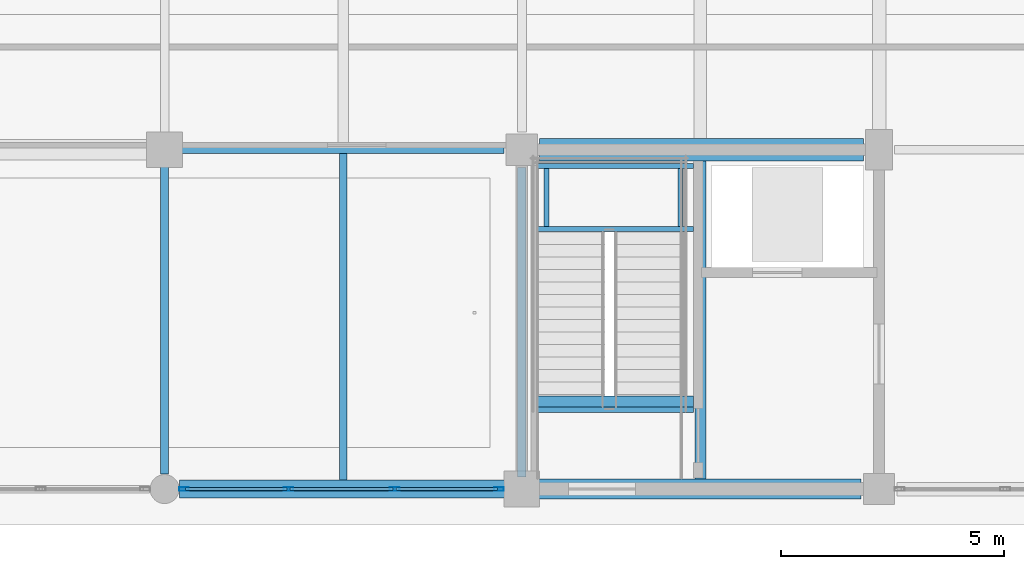
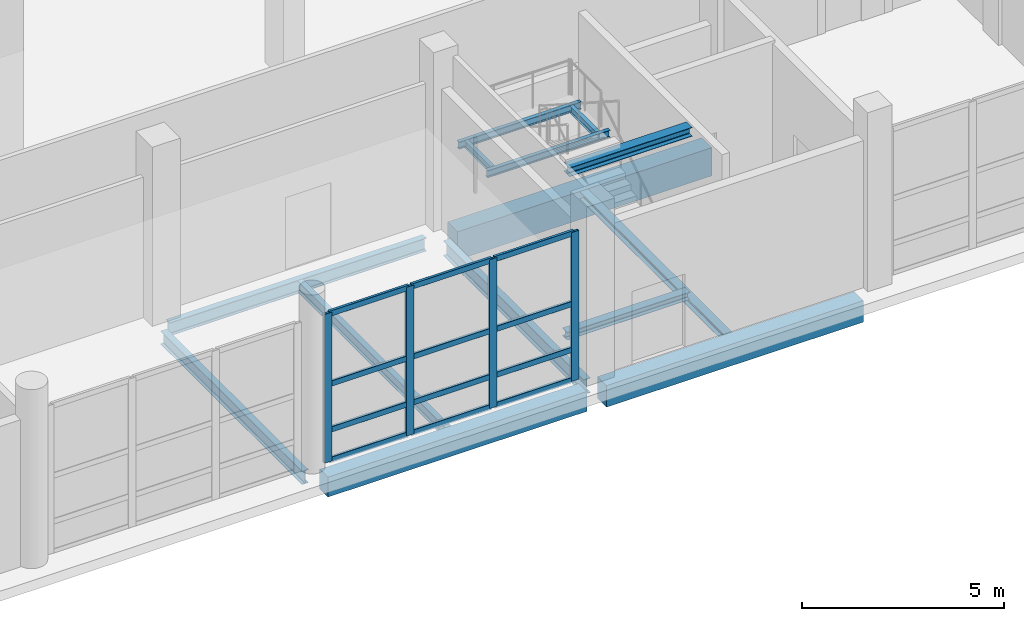
# One storey, part 22 of 126: 16 members, 14 beams, 1 element without a shape of its own.
"""IFC4 building model written with IfcOpenShell, lengths in metres."""

from ifc_helpers import new_model, si_unit, direction, frame, origin, origin_2d, place, context, subcontext, project, spatial, rectangle, hollow_rectangle, i_section, extrude, material, material_profile, profile_set, type_object, element, aggregate, save


model = new_model("IFC4")

# Units and contexts
model_context = context("Model", 3, precision=1e-05, world=origin(), true_north=direction((0.0, 1.0)))
body_context = subcontext(model_context, "Body", "Model", "MODEL_VIEW")
ifc_project = project(units=[si_unit("LENGTHUNIT", "METRE"), si_unit("AREAUNIT", "SQUARE_METRE"), si_unit("VOLUMEUNIT", "CUBIC_METRE"), si_unit("PLANEANGLEUNIT", "RADIAN"), si_unit("MASSUNIT", "GRAM", prefix="KILO")], contexts=[model_context])

# Site, building, storey
site_placement = place(None, origin())
site = spatial("IfcSite", under=ifc_project, at=site_placement, CompositionType="ELEMENT")
building_placement = place(site_placement, origin())
building = spatial("IfcBuilding", under=site, at=building_placement, Name="Khelvaren Railside Concert Hall", CompositionType="ELEMENT")
storey_placement = place(building_placement, origin())
storey = spatial("IfcBuildingStorey", under=building, at=storey_placement, Name="L00", CompositionType="ELEMENT", Elevation=0.0)

# Beams
ifc_material_1 = material(Name="Steel S355", Category="steel")
ifc_material_profile_1 = material_profile(ifc_material_1, i_section(OverallWidth=0.179931640625, OverallDepth=0.39990234375, WebThickness=0.008544921875, FlangeThickness=0.013427734375, FilletRadius=0.02099609375, at=origin_2d()), Name="IPE 400")
ifc_profile_set_1 = profile_set([ifc_material_profile_1], Name="Steel S355")
beam_type_1 = type_object("IfcBeamType", Name="BM29", PredefinedType="BEAM", material=ifc_profile_set_1)
beam_1_placement = place(storey_placement, frame((112.27294921875, 7.60009765625, -0.52001953125), z_axis=(1.0, 0.0, 0.0), x_axis=(0.0, 1.0, 0.0)))
element("IfcBeam", 1, at=beam_1_placement, inside=storey, type_object=beam_type_1, Name="V3 L00 Beam X2.7", PredefinedType="BEAM", context=body_context, shape_type="SweptSolid", body=[
    extrude(i_section(OverallWidth=0.179931640625, OverallDepth=0.39990234375, WebThickness=0.008544921875, FlangeThickness=0.013427734375, FilletRadius=0.02099609375, at=origin_2d()), origin(), (0.0, 0.0, 1.0), 7.3271484375),
])
beam_2_placement = place(storey_placement, frame((112.0, 0.3359375, -0.52001953125), z_axis=(0.0, 1.0, 0.0), x_axis=(-1.0, 0.0, 0.0)))
element("IfcBeam", 2, at=beam_2_placement, inside=storey, type_object=beam_type_1, Name="V3 L00 Beam Y7.1", PredefinedType="BEAM", context=body_context, shape_type="SweptSolid", body=[
    extrude(i_section(OverallWidth=0.179931640625, OverallDepth=0.39990234375, WebThickness=0.008544921875, FlangeThickness=0.013427734375, FilletRadius=0.02099609375, at=origin_2d()), origin(), (0.0, 0.0, 1.0), 6.990966796875),
])
ifc_material_profile_2 = material_profile(ifc_material_1, i_section(OverallWidth=0.239990234375, OverallDepth=0.22998046875, WebThickness=0.007568359375, FlangeThickness=0.011962890625, FilletRadius=0.02099609375, at=origin_2d()), Name="HEA 240")
ifc_profile_set_2 = profile_set([ifc_material_profile_2], Name="Steel S355")
beam_type_2 = type_object("IfcBeamType", Name="BM42", PredefinedType="BEAM", material=ifc_profile_set_2)
beam_3_placement = place(storey_placement, frame((120.344970703125, 1.960693359375, -0.114990234375), z_axis=(1.0, 0.0, 0.0), x_axis=(0.0, 1.0, 0.0)))
element("IfcBeam", 3, at=beam_3_placement, inside=storey, type_object=beam_type_2, Name="ST-06 L00 Stair Foot Trimmer Beam", PredefinedType="BEAM", context=body_context, shape_type="SweptSolid", body=[
    extrude(i_section(OverallWidth=0.239990234375, OverallDepth=0.22998046875, WebThickness=0.007568359375, FlangeThickness=0.011962890625, FilletRadius=0.02099609375, at=origin_2d()), origin(), (0.0, 0.0, 1.0), 3.4951171875),
])
ifc_material_profile_3 = material_profile(ifc_material_1, i_section(OverallWidth=0.110107421875, OverallDepth=0.219970703125, WebThickness=0.005859375, FlangeThickness=0.00927734375, FilletRadius=0.011962890625, at=origin_2d()), Name="IPE 220")
ifc_profile_set_3 = profile_set([ifc_material_profile_3], Name="Steel S355")
beam_type_3 = type_object("IfcBeamType", Name="BM87", PredefinedType="BEAM", material=ifc_profile_set_3)
for number, where, z_axis, x_axis, name in (
    (4, (120.344970703125, 5.824951171875, 2.389892578125), (1.0, 0.0, 0.0), (0.0, 1.0, 0.0), "ST-06 L00 Half-Landing Front Beam"),
    (5, (120.344970703125, 7.239990234375, 2.389892578125), (1.0, 0.0, 0.0), (0.0, 1.0, 0.0), "ST-06 L00 Half-Landing Rear Beam"),
):
    element("IfcBeam", number, at=place(storey_placement, frame(where, z_axis=z_axis, x_axis=x_axis)), inside=storey, type_object=beam_type_3, Name=name, PredefinedType="BEAM", context=body_context, shape_type="SweptSolid", body=[
        extrude(i_section(OverallWidth=0.110107421875, OverallDepth=0.219970703125, WebThickness=0.005859375, FlangeThickness=0.00927734375, FilletRadius=0.011962890625, at=origin_2d()), origin(), (0.0, 0.0, 1.0), 3.4951171875),
    ])
for number, where, z_axis, x_axis, name in (
    (6, (120.550048828125, 5.8798828125, 2.389892578125), (0.0, 1.0, 0.0), (-1.0, 0.0, 0.0), "ST-06 L00 Half-Landing Side Tie W"),
    (7, (123.550048828125, 5.8798828125, 2.389892578125), (0.0, 1.0, 0.0), (-1.0, 0.0, 0.0), "ST-06 L00 Half-Landing Side Tie E"),
):
    element("IfcBeam", number, at=place(storey_placement, frame(where, z_axis=z_axis, x_axis=x_axis)), inside=storey, type_object=beam_type_3, Name=name, PredefinedType="BEAM", context=body_context, shape_type="SweptSolid", body=[
        extrude(i_section(OverallWidth=0.110107421875, OverallDepth=0.219970703125, WebThickness=0.005859375, FlangeThickness=0.00927734375, FilletRadius=0.011962890625, at=origin_2d()), origin(), (0.0, 0.0, 1.0), 1.30517578125),
    ])
ifc_material_profile_4 = material_profile(ifc_material_1, i_section(OverallWidth=0.280029296875, OverallDepth=0.27001953125, WebThickness=0.008056640625, FlangeThickness=0.012939453125, FilletRadius=0.02392578125, at=origin_2d()), Name="HEA 280")
ifc_profile_set_4 = profile_set([ifc_material_profile_4], Name="Steel S355")
beam_type_4 = type_object("IfcBeamType", Name="BM93", PredefinedType="BEAM", material=ifc_profile_set_4)
beam_4_placement = place(storey_placement, frame((120.344970703125, 1.860107421875, 4.90673828125), z_axis=(1.0, 0.0, 0.0), x_axis=(0.0, 1.0, 0.0)))
element("IfcBeam", 8, at=beam_4_placement, inside=storey, type_object=beam_type_4, Name="ST-06 L00 Stair Top Arrival Trimmer Beam", PredefinedType="BEAM", context=body_context, shape_type="SweptSolid", body=[
    extrude(i_section(OverallWidth=0.280029296875, OverallDepth=0.27001953125, WebThickness=0.008056640625, FlangeThickness=0.012939453125, FilletRadius=0.02392578125, at=origin_2d()), origin(), (0.0, 0.0, 1.0), 3.4951171875),
])
ifc_material_profile_5 = material_profile(ifc_material_1, i_section(OverallWidth=0.18994140625, OverallDepth=0.449951171875, WebThickness=0.009521484375, FlangeThickness=0.0146484375, FilletRadius=0.02099609375, at=origin_2d()), Name="IPE 450")
ifc_profile_set_5 = profile_set([ifc_material_profile_5], Name="Steel S355")
beam_type_5 = type_object("IfcBeamType", Name="BM95", PredefinedType="BEAM", material=ifc_profile_set_5)
beam_5_placement = place(storey_placement, frame((120.0, 0.27294921875, -0.544921875), z_axis=(0.0, 1.0, 0.0), x_axis=(-1.0, 0.0, 0.0)))
element("IfcBeam", 9, at=beam_5_placement, inside=storey, type_object=beam_type_5, Name="V3 L00 Beam Y8.1", PredefinedType="BEAM", context=body_context, shape_type="SweptSolid", body=[
    extrude(i_section(OverallWidth=0.18994140625, OverallDepth=0.449951171875, WebThickness=0.009521484375, FlangeThickness=0.0146484375, FilletRadius=0.02099609375, at=origin_2d()), origin(), (0.0, 0.0, 1.0), 6.927001953125),
])

# Curtain wall, members
ifc_material_2 = material(Name="Triple-glazed solar-control glass", Category="glass")
curtain_wall_type = type_object("IfcCurtainWallType", Name="CW80", PredefinedType="USERDEFINED", material=ifc_material_2)
curtain_wall_placement = place(storey_placement, origin())
curtain_wall = element("IfcCurtainWall", 10, at=curtain_wall_placement, inside=storey, type_object=curtain_wall_type, Name="Unitised Curtain Wall CW-V3-L00-S-112", ObjectType="UNITISED CURTAIN WALL", PredefinedType="USERDEFINED")
ifc_material_3 = material(Name="Anodised architectural aluminium 6063-T6", Category="aluminium")
ifc_material_profile_6 = material_profile(ifc_material_3, hollow_rectangle(XDim=0.074951171875, YDim=0.219970703125, WallThickness=0.0048828125, InnerFilletRadius=0.0029296875, OuterFilletRadius=0.0048828125, at=origin_2d()), Name="CWM 75x220x5")
ifc_profile_set_6 = profile_set([ifc_material_profile_6], Name="Anodised architectural aluminium 6063-T6")
member_type_1 = type_object("IfcMemberType", Name="CWM13", PredefinedType="MULLION", material=ifc_profile_set_6)
member_1_placement = place(storey_placement, frame((119.489990234375, 0.0, 0.0), z_axis=(0.0, 0.0, 1.0), x_axis=(0.0, -1.0, 0.0)))
member_1 = element("IfcMember", 11, at=member_1_placement, type_object=member_type_1, Name="CW80 mullion 1", PredefinedType="MULLION", context=body_context, shape_type="SweptSolid", body=[
    extrude(hollow_rectangle(XDim=0.074951171875, YDim=0.219970703125, WallThickness=0.0048828125, InnerFilletRadius=0.0029296875, OuterFilletRadius=0.0048828125, at=origin_2d()), origin(), (0.0, 0.0, 1.0), 4.489990234375),
])
member_2_placement = place(storey_placement, frame((117.15087890625, 0.0, 0.0), z_axis=(0.0, 0.0, 1.0), x_axis=(0.0, -1.0, 0.0)))
member_2 = element("IfcMember", 12, at=member_2_placement, type_object=member_type_1, Name="CW80 mullion 2", PredefinedType="MULLION", context=body_context, shape_type="SweptSolid", body=[
    extrude(hollow_rectangle(XDim=0.074951171875, YDim=0.219970703125, WallThickness=0.0048828125, InnerFilletRadius=0.0029296875, OuterFilletRadius=0.0048828125, at=origin_2d()), origin(), (0.0, 0.0, 1.0), 4.489990234375),
])
member_3_placement = place(storey_placement, frame((114.774169921875, 0.0, 0.0), z_axis=(0.0, 0.0, 1.0), x_axis=(0.0, -1.0, 0.0)))
member_3 = element("IfcMember", 13, at=member_3_placement, type_object=member_type_1, Name="CW80 mullion 3", PredefinedType="MULLION", context=body_context, shape_type="SweptSolid", body=[
    extrude(hollow_rectangle(XDim=0.074951171875, YDim=0.219970703125, WallThickness=0.0048828125, InnerFilletRadius=0.0029296875, OuterFilletRadius=0.0048828125, at=origin_2d()), origin(), (0.0, 0.0, 1.0), 4.489990234375),
])
member_4_placement = place(storey_placement, frame((112.43505859375, 0.0, 0.0), z_axis=(0.0, 0.0, 1.0), x_axis=(0.0, -1.0, 0.0)))
member_4 = element("IfcMember", 14, at=member_4_placement, type_object=member_type_1, Name="CW80 mullion 4", PredefinedType="MULLION", context=body_context, shape_type="SweptSolid", body=[
    extrude(hollow_rectangle(XDim=0.074951171875, YDim=0.219970703125, WallThickness=0.0048828125, InnerFilletRadius=0.0029296875, OuterFilletRadius=0.0048828125, at=origin_2d()), origin(), (0.0, 0.0, 1.0), 4.489990234375),
])
ifc_material_profile_7 = material_profile(ifc_material_3, hollow_rectangle(XDim=0.074951171875, YDim=0.1650390625, WallThickness=0.00390625, InnerFilletRadius=0.001953125, OuterFilletRadius=0.00390625, at=origin_2d()), Name="CWT 75x165x4")
ifc_profile_set_7 = profile_set([ifc_material_profile_7], Name="Anodised architectural aluminium 6063-T6")
member_type_2 = type_object("IfcMemberType", Name="CWT46", PredefinedType="USERDEFINED", material=ifc_profile_set_7)
member_5_placement = place(storey_placement, frame((119.452392578125, 0.0, 0.03759765625), z_axis=(-1.0, 0.0, 0.0), x_axis=(0.0, -1.0, 0.0)))
member_5 = element("IfcMember", 15, at=member_5_placement, type_object=member_type_2, Name="CW80 transom 1.1", ObjectType="TRANSOM", PredefinedType="USERDEFINED", context=body_context, shape_type="SweptSolid", body=[
    extrude(hollow_rectangle(XDim=0.074951171875, YDim=0.1650390625, WallThickness=0.00390625, InnerFilletRadius=0.001953125, OuterFilletRadius=0.00390625, at=origin_2d()), origin(), (0.0, 0.0, 1.0), 2.26416015625),
])
member_6_placement = place(storey_placement, frame((119.452392578125, 0.0, 0.949951171875), z_axis=(-1.0, 0.0, 0.0), x_axis=(0.0, -1.0, 0.0)))
member_6 = element("IfcMember", 16, at=member_6_placement, type_object=member_type_2, Name="CW80 transom 1.2", ObjectType="TRANSOM", PredefinedType="USERDEFINED", context=body_context, shape_type="SweptSolid", body=[
    extrude(hollow_rectangle(XDim=0.074951171875, YDim=0.1650390625, WallThickness=0.00390625, InnerFilletRadius=0.001953125, OuterFilletRadius=0.00390625, at=origin_2d()), origin(), (0.0, 0.0, 1.0), 2.26416015625),
])
member_7_placement = place(storey_placement, frame((119.452392578125, 0.0, 2.334716796875), z_axis=(-1.0, 0.0, 0.0), x_axis=(0.0, -1.0, 0.0)))
member_7 = element("IfcMember", 17, at=member_7_placement, type_object=member_type_2, Name="CW80 transom 1.3", ObjectType="TRANSOM", PredefinedType="USERDEFINED", context=body_context, shape_type="SweptSolid", body=[
    extrude(hollow_rectangle(XDim=0.074951171875, YDim=0.1650390625, WallThickness=0.00390625, InnerFilletRadius=0.001953125, OuterFilletRadius=0.00390625, at=origin_2d()), origin(), (0.0, 0.0, 1.0), 2.26416015625),
])
member_8_placement = place(storey_placement, frame((119.452392578125, 0.0, 4.452392578125), z_axis=(-1.0, 0.0, 0.0), x_axis=(0.0, -1.0, 0.0)))
member_8 = element("IfcMember", 18, at=member_8_placement, type_object=member_type_2, Name="CW80 transom 1.4", ObjectType="TRANSOM", PredefinedType="USERDEFINED", context=body_context, shape_type="SweptSolid", body=[
    extrude(hollow_rectangle(XDim=0.074951171875, YDim=0.1650390625, WallThickness=0.00390625, InnerFilletRadius=0.001953125, OuterFilletRadius=0.00390625, at=origin_2d()), origin(), (0.0, 0.0, 1.0), 2.26416015625),
])
member_9_placement = place(storey_placement, frame((117.11328125, 0.0, 0.03759765625), z_axis=(-1.0, 0.0, 0.0), x_axis=(0.0, -1.0, 0.0)))
member_9 = element("IfcMember", 19, at=member_9_placement, type_object=member_type_2, Name="CW80 transom 2.1", ObjectType="TRANSOM", PredefinedType="USERDEFINED", context=body_context, shape_type="SweptSolid", body=[
    extrude(hollow_rectangle(XDim=0.074951171875, YDim=0.1650390625, WallThickness=0.00390625, InnerFilletRadius=0.001953125, OuterFilletRadius=0.00390625, at=origin_2d()), origin(), (0.0, 0.0, 1.0), 2.301513671875),
])
member_10_placement = place(storey_placement, frame((117.11328125, 0.0, 0.949951171875), z_axis=(-1.0, 0.0, 0.0), x_axis=(0.0, -1.0, 0.0)))
member_10 = element("IfcMember", 20, at=member_10_placement, type_object=member_type_2, Name="CW80 transom 2.2", ObjectType="TRANSOM", PredefinedType="USERDEFINED", context=body_context, shape_type="SweptSolid", body=[
    extrude(hollow_rectangle(XDim=0.074951171875, YDim=0.1650390625, WallThickness=0.00390625, InnerFilletRadius=0.001953125, OuterFilletRadius=0.00390625, at=origin_2d()), origin(), (0.0, 0.0, 1.0), 2.301513671875),
])
member_11_placement = place(storey_placement, frame((117.11328125, 0.0, 2.334716796875), z_axis=(-1.0, 0.0, 0.0), x_axis=(0.0, -1.0, 0.0)))
member_11 = element("IfcMember", 21, at=member_11_placement, type_object=member_type_2, Name="CW80 transom 2.3", ObjectType="TRANSOM", PredefinedType="USERDEFINED", context=body_context, shape_type="SweptSolid", body=[
    extrude(hollow_rectangle(XDim=0.074951171875, YDim=0.1650390625, WallThickness=0.00390625, InnerFilletRadius=0.001953125, OuterFilletRadius=0.00390625, at=origin_2d()), origin(), (0.0, 0.0, 1.0), 2.301513671875),
])
member_12_placement = place(storey_placement, frame((117.11328125, 0.0, 4.452392578125), z_axis=(-1.0, 0.0, 0.0), x_axis=(0.0, -1.0, 0.0)))
member_12 = element("IfcMember", 22, at=member_12_placement, type_object=member_type_2, Name="CW80 transom 2.4", ObjectType="TRANSOM", PredefinedType="USERDEFINED", context=body_context, shape_type="SweptSolid", body=[
    extrude(hollow_rectangle(XDim=0.074951171875, YDim=0.1650390625, WallThickness=0.00390625, InnerFilletRadius=0.001953125, OuterFilletRadius=0.00390625, at=origin_2d()), origin(), (0.0, 0.0, 1.0), 2.301513671875),
])
member_13_placement = place(storey_placement, frame((114.736572265625, 0.0, 0.03759765625), z_axis=(-1.0, 0.0, 0.0), x_axis=(0.0, -1.0, 0.0)))
member_13 = element("IfcMember", 23, at=member_13_placement, type_object=member_type_2, Name="CW80 transom 3.1", ObjectType="TRANSOM", PredefinedType="USERDEFINED", context=body_context, shape_type="SweptSolid", body=[
    extrude(hollow_rectangle(XDim=0.074951171875, YDim=0.1650390625, WallThickness=0.00390625, InnerFilletRadius=0.001953125, OuterFilletRadius=0.00390625, at=origin_2d()), origin(), (0.0, 0.0, 1.0), 2.26416015625),
])
member_14_placement = place(storey_placement, frame((114.736572265625, 0.0, 0.949951171875), z_axis=(-1.0, 0.0, 0.0), x_axis=(0.0, -1.0, 0.0)))
member_14 = element("IfcMember", 24, at=member_14_placement, type_object=member_type_2, Name="CW80 transom 3.2", ObjectType="TRANSOM", PredefinedType="USERDEFINED", context=body_context, shape_type="SweptSolid", body=[
    extrude(hollow_rectangle(XDim=0.074951171875, YDim=0.1650390625, WallThickness=0.00390625, InnerFilletRadius=0.001953125, OuterFilletRadius=0.00390625, at=origin_2d()), origin(), (0.0, 0.0, 1.0), 2.26416015625),
])
member_15_placement = place(storey_placement, frame((114.736572265625, 0.0, 2.334716796875), z_axis=(-1.0, 0.0, 0.0), x_axis=(0.0, -1.0, 0.0)))
member_15 = element("IfcMember", 25, at=member_15_placement, type_object=member_type_2, Name="CW80 transom 3.3", ObjectType="TRANSOM", PredefinedType="USERDEFINED", context=body_context, shape_type="SweptSolid", body=[
    extrude(hollow_rectangle(XDim=0.074951171875, YDim=0.1650390625, WallThickness=0.00390625, InnerFilletRadius=0.001953125, OuterFilletRadius=0.00390625, at=origin_2d()), origin(), (0.0, 0.0, 1.0), 2.26416015625),
])
member_16_placement = place(storey_placement, frame((114.736572265625, 0.0, 4.452392578125), z_axis=(-1.0, 0.0, 0.0), x_axis=(0.0, -1.0, 0.0)))
member_16 = element("IfcMember", 26, at=member_16_placement, type_object=member_type_2, Name="CW80 transom 3.4", ObjectType="TRANSOM", PredefinedType="USERDEFINED", context=body_context, shape_type="SweptSolid", body=[
    extrude(hollow_rectangle(XDim=0.074951171875, YDim=0.1650390625, WallThickness=0.00390625, InnerFilletRadius=0.001953125, OuterFilletRadius=0.00390625, at=origin_2d()), origin(), (0.0, 0.0, 1.0), 2.26416015625),
])
aggregate(curtain_wall, [member_1, member_2, member_3, member_4, member_5, member_6, member_7, member_8, member_9, member_10, member_11, member_12, member_13, member_14, member_15, member_16])

# Beams
ifc_material_4 = material(Name="Concrete C40/50", Category="concrete")
ifc_material_profile_8 = material_profile(ifc_material_4, rectangle(XDim=0.5, YDim=0.85009765625, at=origin_2d()), Name="RCB 500x850")
ifc_profile_set_8 = profile_set([ifc_material_profile_8], Name="Concrete C40/50")
beam_type_6 = type_object("IfcBeamType", Name="GR96", PredefinedType="T_BEAM", material=ifc_profile_set_8)
beam_6_placement = place(storey_placement, frame((120.39990234375, 7.60009765625, -0.7451171875), z_axis=(1.0, 0.0, 0.0), x_axis=(0.0, 1.0, 0.0)))
element("IfcBeam", 27, at=beam_6_placement, inside=storey, type_object=beam_type_6, Name="V3 L00 T_Beam X2.8", PredefinedType="T_BEAM", context=body_context, shape_type="SweptSolid", body=[
    extrude(rectangle(XDim=0.5, YDim=0.85009765625, at=origin_2d()), origin(), (0.0, 0.0, 1.0), 7.25),
])
ifc_material_profile_9 = material_profile(ifc_material_1, i_section(OverallWidth=0.159912109375, OverallDepth=0.330078125, WebThickness=0.007568359375, FlangeThickness=0.011474609375, FilletRadius=0.01806640625, at=origin_2d()), Name="IPE 330")
ifc_profile_set_9 = profile_set([ifc_material_profile_9], Name="Steel S355")
beam_type_7 = type_object("IfcBeamType", Name="JS65", PredefinedType="JOIST", material=ifc_profile_set_9)
beam_7_placement = place(storey_placement, frame((116.0, 0.199951171875, -0.485107421875), z_axis=(0.0, 1.0, 0.0), x_axis=(-1.0, 0.0, 0.0)))
element("IfcBeam", 28, at=beam_7_placement, inside=storey, type_object=beam_type_7, Name="V3 L00 Secondary Joist 7.1", PredefinedType="JOIST", context=body_context, shape_type="SweptSolid", body=[
    extrude(i_section(OverallWidth=0.159912109375, OverallDepth=0.330078125, WebThickness=0.007568359375, FlangeThickness=0.011474609375, FilletRadius=0.01806640625, at=origin_2d()), origin(), (0.0, 0.0, 1.0), 7.31005859375),
])
ifc_material_profile_10 = material_profile(ifc_material_1, i_section(OverallWidth=0.239990234375, OverallDepth=0.22998046875, WebThickness=0.007568359375, FlangeThickness=0.011962890625, FilletRadius=0.02099609375, at=origin_2d()), Name="HEA 240")
ifc_profile_set_10 = profile_set([ifc_material_profile_10], Name="Steel S355")
beam_type_8 = type_object("IfcBeamType", Name="JS76", PredefinedType="JOIST", material=ifc_profile_set_10)
beam_8_placement = place(storey_placement, frame((124.0, 0.22509765625, -0.43505859375), z_axis=(0.0, 1.0, 0.0), x_axis=(-1.0, 0.0, 0.0)))
element("IfcBeam", 29, at=beam_8_placement, inside=storey, type_object=beam_type_8, Name="V3 L00 Secondary Joist 8.1", PredefinedType="JOIST", context=body_context, shape_type="SweptSolid", body=[
    extrude(i_section(OverallWidth=0.239990234375, OverallDepth=0.22998046875, WebThickness=0.007568359375, FlangeThickness=0.011962890625, FilletRadius=0.02099609375, at=origin_2d()), origin(), (0.0, 0.0, 1.0), 7.125),
])
ifc_material_profile_11 = material_profile(ifc_material_4, rectangle(XDim=0.449951171875, YDim=0.64990234375, at=origin_2d()), Name="RCB 450x650")
ifc_profile_set_11 = profile_set([ifc_material_profile_11], Name="Concrete C40/50")
beam_type_9 = type_object("IfcBeamType", Name="SP34", PredefinedType="SPANDREL", material=ifc_profile_set_11)
beam_9_placement = place(storey_placement, frame((120.27294921875, 0.0, -0.64501953125), z_axis=(1.0, 0.0, 0.0), x_axis=(0.0, 1.0, 0.0)))
element("IfcBeam", 30, at=beam_9_placement, inside=storey, type_object=beam_type_9, Name="V3 L00 Spandrel X1.8", PredefinedType="SPANDREL", context=body_context, shape_type="SweptSolid", body=[
    extrude(rectangle(XDim=0.449951171875, YDim=0.64990234375, at=origin_2d()), origin(), (0.0, 0.0, 1.0), 7.3271484375),
])
ifc_material_profile_12 = material_profile(ifc_material_4, rectangle(XDim=0.39990234375, YDim=0.60009765625, at=origin_2d()), Name="RCB 400x600")
ifc_profile_set_12 = profile_set([ifc_material_profile_12], Name="Concrete C40/50")
beam_type_10 = type_object("IfcBeamType", Name="SP75", PredefinedType="SPANDREL", material=ifc_profile_set_12)
beam_10_placement = place(storey_placement, frame((112.3359375, 0.0, -0.6201171875), z_axis=(1.0, 0.0, 0.0), x_axis=(0.0, 1.0, 0.0)))
element("IfcBeam", 31, at=beam_10_placement, inside=storey, type_object=beam_type_10, Name="V3 L00 Spandrel X1.7", PredefinedType="SPANDREL", context=body_context, shape_type="SweptSolid", body=[
    extrude(rectangle(XDim=0.39990234375, YDim=0.60009765625, at=origin_2d()), origin(), (0.0, 0.0, 1.0), 7.39111328125),
])

save(model, "model.ifc")
